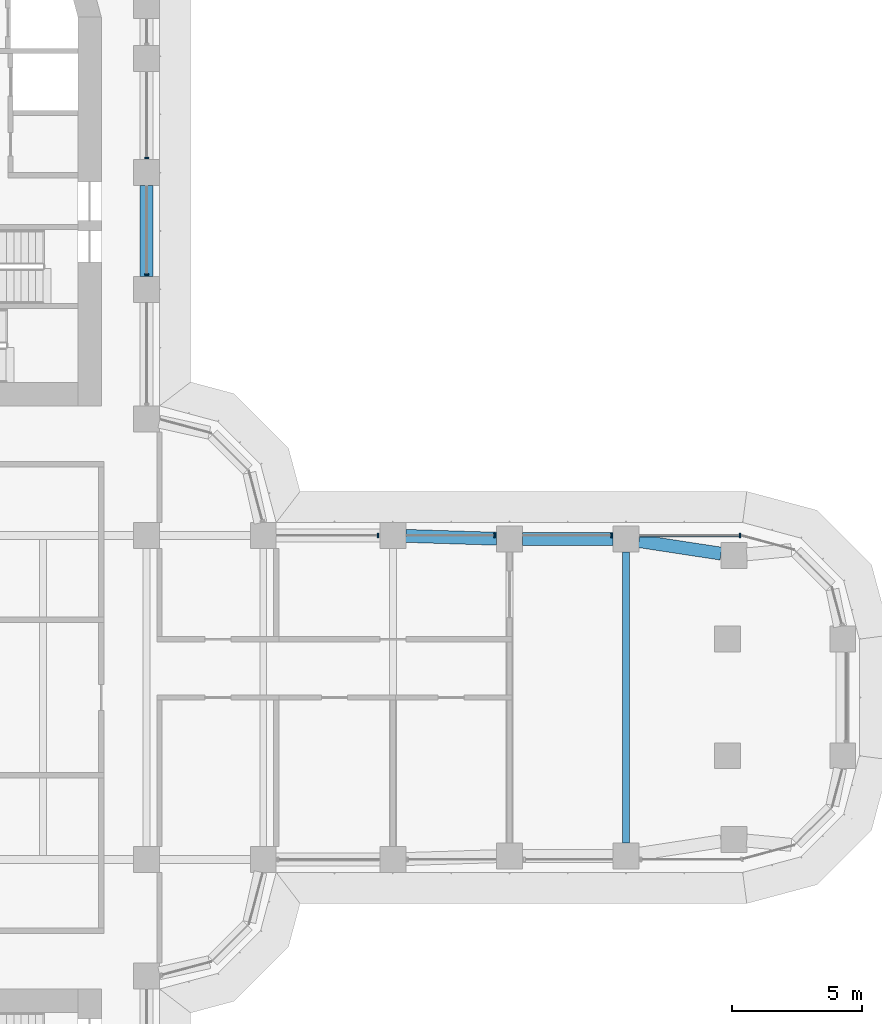
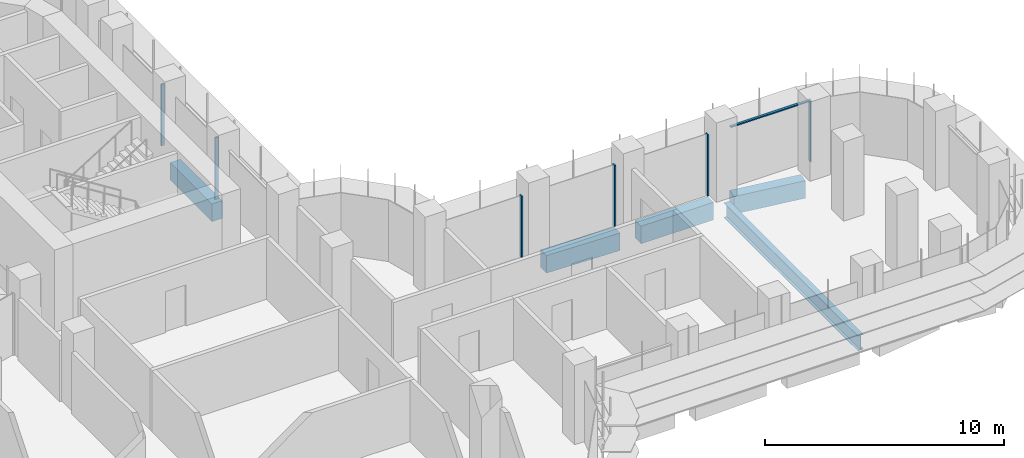
# One storey, part 9 of 23: 7 members, 5 beams, 2 elements without a shape of their own.
"""IFC4 building model written with IfcOpenShell, lengths in metres."""

import ifcopenshell
import ifcopenshell.guid

model = None  # the IFC model being written
_history = None  # IfcOwnerHistory: only IFC2X3 demands one
_inside = {}  # id of a spatial element -> (the spatial element, [elements in it])
_under = {}  # id of a project, library or spatial element -> (it, [spatial elements below it])
_declared = {}  # id of a project -> (the project, [libraries it declares])
_typed = {}  # id of a type object -> (the type object, [elements of that type])
_made_of = {}  # id of a material, layer set ... -> (it, [elements and type objects made of it])


def new_model(schema):
    """Start an empty IFC model of exactly this schema.

    Asked for "IFC4X3", IfcOpenShell would pick the latest addendum, in which some entities
    have other attributes; the version numbers below select the first issue.
    IFC2X3 requires an IfcOwnerHistory on every rooted entity: one is made here for all.
    """
    global model, _history
    if schema == "IFC4X3":
        model = ifcopenshell.file(schema_version=(4, 3, 0, 0))
    else:
        model = ifcopenshell.file(schema=schema)
    _inside.clear()
    _under.clear()
    _declared.clear()
    _typed.clear()
    _made_of.clear()
    _history = None
    if model.schema == "IFC2X3":
        org = make("IfcOrganization", Name="unknown")
        user = make(
            "IfcPersonAndOrganization",
            ThePerson=make("IfcPerson", FamilyName="unknown"),
            TheOrganization=org,
        )
        app = make(
            "IfcApplication",
            ApplicationDeveloper=org,
            Version="unknown",
            ApplicationFullName="unknown",
            ApplicationIdentifier="unknown",
        )
        _history = make(
            "IfcOwnerHistory",
            OwningUser=user,
            OwningApplication=app,
            ChangeAction="ADDED",
            CreationDate=0,
        )
    return model


def make(cls, **values):
    """One entity of the class cls with the attributes given. An attribute that is None is left unset."""
    return model.create_entity(
        cls, **{name: value for name, value in values.items() if value is not None}
    )


def rooted(cls, **values):
    """An entity with a GlobalId (a new one), such as an element, a storey or a relation."""
    return make(cls, GlobalId=ifcopenshell.guid.new(), OwnerHistory=_history, **values)


def si_unit(unit_type, name, prefix=None):
    """IfcSIUnit, for example si_unit("LENGTHUNIT", "METRE", prefix="MILLI")."""
    return make("IfcSIUnit", UnitType=unit_type, Prefix=prefix, Name=name)


def assignment(units):
    """IfcUnitAssignment: the units of a project."""
    return None if units is None else make("IfcUnitAssignment", Units=units)


def point(xyz):
    """IfcCartesianPoint."""
    return None if xyz is None else make("IfcCartesianPoint", Coordinates=xyz)


def direction(xyz):
    """IfcDirection."""
    return None if xyz is None else make("IfcDirection", DirectionRatios=xyz)


def frame(location, z_axis=None, x_axis=None):
    """IfcAxis2Placement3D, a coordinate frame: its origin and axes. An axis left out is left unset."""
    return make(
        "IfcAxis2Placement3D",
        Location=point(location),
        Axis=direction(z_axis),
        RefDirection=direction(x_axis),
    )


def frame_2d(location, x_axis=None):
    """IfcAxis2Placement2D, a coordinate frame in the plane: its origin and x axis."""
    return make(
        "IfcAxis2Placement2D", Location=point(location), RefDirection=direction(x_axis)
    )


def origin():
    """The frame at (0, 0, 0) with its axes left unset."""
    return frame((0.0, 0.0, 0.0))


def origin_2d():
    """The frame at (0, 0) in the plane with its x axis left unset."""
    return frame_2d((0.0, 0.0))


def place(relative_to, where):
    """IfcLocalPlacement: puts the frame where relative to a parent placement (None: the world)."""
    return make(
        "IfcLocalPlacement", PlacementRelTo=relative_to, RelativePlacement=where
    )


def context(
    kind, dimensions, precision=None, world=None, true_north=None, identifier=None
):
    """IfcGeometricRepresentationContext, for example the 3D "Model" context."""
    return make(
        "IfcGeometricRepresentationContext",
        ContextIdentifier=identifier,
        ContextType=kind,
        CoordinateSpaceDimension=dimensions,
        Precision=precision,
        WorldCoordinateSystem=world,
        TrueNorth=true_north,
    )


def subcontext(parent, identifier, kind, view, scale=None):
    """IfcGeometricRepresentationSubContext, for example "Body" below "Model"."""
    return make(
        "IfcGeometricRepresentationSubContext",
        ContextIdentifier=identifier,
        ContextType=kind,
        ParentContext=parent,
        TargetScale=scale,
        TargetView=view,
    )


def project(units=None, contexts=None):
    """IfcProject with its units and contexts."""
    return rooted(
        "IfcProject",
        Name="project",
        RepresentationContexts=contexts,
        UnitsInContext=assignment(units),
    )


def spatial(cls, under=None, at=None, **own):
    """A site, building, storey or space (cls), placed at a placement, below another one or the project."""
    s = rooted(cls, ObjectPlacement=at, **own)
    if under is not None:
        _under.setdefault(under.id(), (under, []))[1].append(s)
    return s


def polyline(points):
    """IfcPolyline through the points."""
    return make("IfcPolyline", Points=[point(p) for p in points])


def profile(cls, at=None, kind="AREA", **sizes):
    """A parametric profile (cls). Its sizes go by their IFC names, for example OverallWidth=200.0."""
    return make(cls, ProfileType=kind, Position=at, **sizes)


def rectangle(**sizes):
    """IfcRectangleProfileDef."""
    return profile("IfcRectangleProfileDef", **sizes)


def i_section(**sizes):
    """IfcIShapeProfileDef."""
    return profile("IfcIShapeProfileDef", **sizes)


def outline(outer, holes=None, kind="AREA"):
    """IfcArbitraryClosedProfileDef: a profile drawn as a closed curve; with holes, ...WithVoids."""
    if holes is None:
        return make("IfcArbitraryClosedProfileDef", ProfileType=kind, OuterCurve=outer)
    return make(
        "IfcArbitraryProfileDefWithVoids",
        ProfileType=kind,
        OuterCurve=outer,
        InnerCurves=holes,
    )


def extrude(swept, where, along, depth):
    """IfcExtrudedAreaSolid: the profile swept, set in the frame where, extruded along a direction by depth."""
    return make(
        "IfcExtrudedAreaSolid",
        SweptArea=swept,
        Position=where,
        ExtrudedDirection=direction(along),
        Depth=depth,
    )


def shape(context_of_items, identifier, shape_type, items):
    """IfcShapeRepresentation: the items that make up one representation, for example the "Body"."""
    return make(
        "IfcShapeRepresentation",
        ContextOfItems=context_of_items,
        RepresentationIdentifier=identifier,
        RepresentationType=shape_type,
        Items=items,
    )


def source(mapping_origin, context_of_items, identifier, shape_type, items):
    """IfcRepresentationMap: a shape defined once, which mapped items show again and again."""
    return make(
        "IfcRepresentationMap",
        MappingOrigin=mapping_origin,
        MappedRepresentation=shape(context_of_items, identifier, shape_type, items),
    )


def transform(
    local_origin,
    x_axis=None,
    y_axis=None,
    z_axis=None,
    scale=None,
    scale2=None,
    scale3=None,
    uniform=True,
):
    """IfcCartesianTransformationOperator3D, or its non-uniform kind. x_axis, y_axis, z_axis: its Axis1, 2, 3."""
    if uniform:
        return make(
            "IfcCartesianTransformationOperator3D",
            Axis1=direction(x_axis),
            Axis2=direction(y_axis),
            LocalOrigin=point(local_origin),
            Scale=scale,
            Axis3=direction(z_axis),
        )
    return make(
        "IfcCartesianTransformationOperator3DnonUniform",
        Axis1=direction(x_axis),
        Axis2=direction(y_axis),
        LocalOrigin=point(local_origin),
        Scale=scale,
        Axis3=direction(z_axis),
        Scale2=scale2,
        Scale3=scale3,
    )


def mapped(mapping_source, mapping_target):
    """IfcMappedItem: shows the shape of a source again, moved by a transform."""
    return make(
        "IfcMappedItem", MappingSource=mapping_source, MappingTarget=mapping_target
    )


def material(Name=None, Category=None):
    """IfcMaterial."""
    return make("IfcMaterial", Name=Name, Category=Category)


def material_profile(
    of_material, cross_section, Name=None, Category=None, Priority=None
):
    """IfcMaterialProfile: a cross section and its material."""
    return make(
        "IfcMaterialProfile",
        Name=Name,
        Material=of_material,
        Profile=cross_section,
        Priority=Priority,
        Category=Category,
    )


def profile_set(profiles, Name=None, composite=None):
    """IfcMaterialProfileSet."""
    return make(
        "IfcMaterialProfileSet",
        Name=Name,
        MaterialProfiles=profiles,
        CompositeProfile=composite,
    )


def made_of(thing, what):
    """Note that an element or type object is made of a material, layer set ...; save() writes the relation."""
    if what is not None:
        _made_of.setdefault(what.id(), (what, []))[1].append(thing)
    return thing


def type_object(cls, material=None, **own):
    """A type object (cls), such as IfcWallType, which elements share."""
    return made_of(rooted(cls, **own), material)


def element(
    cls,
    number,
    at=None,
    inside=None,
    cuts=None,
    type_object=None,
    material=None,
    context=None,
    identifier="Body",
    shape_type=None,
    held_by="IfcProductDefinitionShape",
    body=None,
    shapes=None,
    **own,
):
    """One element of the class cls, such as IfcWall. Its Tag is "e" and its number.

    at: its placement. inside: the storey or other place that contains it. cuts: it is an
    opening in that element (IfcRelVoidsElement). A single representation is given by context,
    identifier, shape_type and body (its items); several are given by shapes. held_by: the class
    of the entity that holds the representations. save() writes the other relations.
    """
    e = rooted(cls, Tag="e%d" % number, ObjectPlacement=at, **own)
    if body is not None:
        shapes = [shape(context, identifier, shape_type, body)]
    if shapes is not None:
        e.Representation = make(held_by, Representations=shapes)
    if inside is not None:
        _inside.setdefault(inside.id(), (inside, []))[1].append(e)
    if cuts is not None:
        rooted(
            "IfcRelVoidsElement", RelatingBuildingElement=cuts, RelatedOpeningElement=e
        )
    if type_object is not None:
        _typed.setdefault(type_object.id(), (type_object, []))[1].append(e)
    return made_of(e, material)


def aggregate(whole, parts):
    """IfcRelAggregates: a whole, such as a stair, and the parts it consists of."""
    return rooted("IfcRelAggregates", RelatingObject=whole, RelatedObjects=parts)


def save(model, path):
    """Write the relations noted so far, then the file.

    IfcRelAggregates (storeys below a building ...), IfcRelContainedInSpatialStructure (elements
    in a storey), IfcRelDefinesByType, IfcRelAssociatesMaterial and IfcRelDeclares: one each for
    every whole, place, type object, material and project.
    """
    for whole, parts in _under.values():
        aggregate(whole, parts)
    for where, things in _inside.values():
        rooted(
            "IfcRelContainedInSpatialStructure",
            RelatedElements=things,
            RelatingStructure=where,
        )
    for kind, things in _typed.values():
        rooted("IfcRelDefinesByType", RelatedObjects=things, RelatingType=kind)
    for what, things in _made_of.values():
        rooted("IfcRelAssociatesMaterial", RelatedObjects=things, RelatingMaterial=what)
    for by, libraries in _declared.values():
        rooted("IfcRelDeclares", RelatingContext=by, RelatedDefinitions=libraries)
    model.write(path)


model = new_model("IFC4")

# Units and contexts
model_context = context("Model", 3, precision=1e-05, world=origin(), true_north=direction((0.0, 1.0)))
body_context = subcontext(model_context, "Body", "Model", "MODEL_VIEW")
ifc_project = project(units=[si_unit("LENGTHUNIT", "METRE"), si_unit("AREAUNIT", "SQUARE_METRE"), si_unit("VOLUMEUNIT", "CUBIC_METRE"), si_unit("PLANEANGLEUNIT", "RADIAN"), si_unit("MASSUNIT", "GRAM", prefix="KILO")], contexts=[model_context])

# Site, building, storey
site_placement = place(None, origin())
site = spatial("IfcSite", under=ifc_project, at=site_placement, CompositionType="ELEMENT")
building_placement = place(site_placement, origin())
building = spatial("IfcBuilding", under=site, at=building_placement, Name="Zarbagh Exchange Tower", CompositionType="ELEMENT")
storey_placement = place(building_placement, frame((0.0, 0.0, 35.39990234375)))
storey = spatial("IfcBuildingStorey", under=building, at=storey_placement, Name="L07", CompositionType="ELEMENT", Elevation=35.39990234375)

# Beams
ifc_material_1 = material(Name="Steel ASTM A992 Gr 50", Category="steel")
ifc_material_profile_1 = material_profile(ifc_material_1, i_section(OverallWidth=0.2666015625, OverallDepth=0.76708984375, WebThickness=0.014892578125, FlangeThickness=0.023681640625, at=origin_2d()), Name="W30X124")
ifc_profile_set_1 = profile_set([ifc_material_profile_1], Name="Steel ASTM A992 Gr 50")
beam_type_1 = type_object("IfcBeamType", Name="Floor beam W30X124", PredefinedType="BEAM", material=ifc_profile_set_1)
beam_1_placement = place(storey_placement, frame((24.75, -5.610107421875, -0.533447265625), z_axis=(0.0, 1.0, 0.0), x_axis=(-1.0, 0.0, 0.0)))
element("IfcBeam", 1, at=beam_1_placement, inside=storey, type_object=beam_type_1, Name="Steel floor beam", PredefinedType="BEAM", context=body_context, shape_type="SweptSolid", body=[
    extrude(i_section(OverallWidth=0.2666015625, OverallDepth=0.76708984375, WebThickness=0.014892578125, FlangeThickness=0.023681640625, at=origin_2d()), origin(), (0.0, 0.0, 1.0), 11.22021484375),
])
ifc_material_2 = material(Name="Concrete C60/75", Category="concrete")
ifc_material_profile_2 = material_profile(ifc_material_2, rectangle(XDim=0.5, YDim=0.89990234375, at=origin_2d()), Name="RC spandrel beam 500 x 900 C60/75")
ifc_profile_set_2 = profile_set([ifc_material_profile_2], Name="Concrete C60/75")
beam_type_2 = type_object("IfcBeamType", Name="RC spandrel beam 500 x 900 C60/75", PredefinedType="SPANDREL", material=ifc_profile_set_2)
beam_2_placement = place(storey_placement, frame((6.25, 19.75, -0.599853515625), z_axis=(0.0, -1.0, 0.0), x_axis=(1.0, 0.0, 0.0)))
element("IfcBeam", 2, at=beam_2_placement, inside=storey, type_object=beam_type_2, Name="RC spandrel beam", PredefinedType="SPANDREL", context=body_context, shape_type="SweptSolid", body=[
    extrude(rectangle(XDim=0.5, YDim=0.89990234375, at=origin_2d()), origin(), (0.0, 0.0, 1.0), 3.5),
])
beam_3_placement = place(storey_placement, frame((16.249755859375, 6.234619140625, -0.599853515625), z_axis=(0.999514385708, -0.031160756759, 0.0), x_axis=(0.031160756759, 0.999514385708, 0.0)))
element("IfcBeam", 3, at=beam_3_placement, inside=storey, type_object=beam_type_2, Name="RC spandrel beam", PredefinedType="SPANDREL", context=body_context, shape_type="SweptSolid", body=[
    extrude(rectangle(XDim=0.5, YDim=0.89990234375, at=origin_2d()), origin(), (0.0, 0.0, 1.0), 3.502197265625),
])
beam_4_placement = place(storey_placement, frame((20.75, 6.110107421875, -0.599853515625), z_axis=(1.0, 0.0, 0.0), x_axis=(0.0, 1.0, 0.0)))
element("IfcBeam", 4, at=beam_4_placement, inside=storey, type_object=beam_type_2, Name="RC spandrel beam", PredefinedType="SPANDREL", context=body_context, shape_type="SweptSolid", body=[
    extrude(rectangle(XDim=0.5, YDim=0.89990234375, at=origin_2d()), origin(), (0.0, 0.0, 1.0), 3.5),
])
beam_5_placement = place(storey_placement, frame((25.244384765625, 6.034423828125, -0.599853515625), z_axis=(0.988545350976, -0.150924116903, 0.0), x_axis=(0.150924116903, 0.988545350976, 0.0)))
element("IfcBeam", 5, at=beam_5_placement, inside=storey, type_object=beam_type_2, Name="RC spandrel beam", PredefinedType="SPANDREL", context=body_context, shape_type="SweptSolid", body=[
    extrude(rectangle(XDim=0.5, YDim=0.89990234375, at=origin_2d()), origin(), (0.0, 0.0, 1.0), 3.2060546875),
])

# Curtain wall, members
ifc_material_3 = material(Name="Anodised aluminium frame and glazing", Category="aluminium")
curtain_wall_type = type_object("IfcCurtainWallType", Name="CWA Ribbon glazing, lower zones", PredefinedType="NOTDEFINED", material=ifc_material_3)
curtain_wall_1_placement = place(storey_placement, origin())
curtain_wall_1 = element("IfcCurtainWall", 6, at=curtain_wall_1_placement, inside=storey, type_object=curtain_wall_type, Name="CWA16 curtain wall", PredefinedType="NOTDEFINED")
ifc_material_4 = material(Name="Anodised aluminium frame", Category="aluminium")
member_type_1 = type_object("IfcMemberType", Name="MUA Mullion, anodised aluminium frame", PredefinedType="MULLION", material=ifc_material_4)
shared_shape_1 = source(origin(), body_context, "Body", "SweptSolid", [
    extrude(outline(polyline([(0.0, -0.080078125), (0.06005859375, -0.080078125), (0.06005859375, 0.080078125), (0.0, 0.080078125), (0.0, -0.080078125)])), origin(), (0.0, 0.0, 1.0), 3.14990234375),
])
placement = place(storey_placement, origin())
member_1 = element("IfcMember", 7, at=placement, type_object=member_type_1, Name="CWA16 mullion 1.1", PredefinedType="MULLION", context=body_context, shape_type="MappedRepresentation", body=[
    mapped(shared_shape_1, transform((29.18408203125, 6.25, 0.0), x_axis=(-1.0, 0.0, 0.0), y_axis=(0.0, -1.0, 0.0), z_axis=(0.0, 0.0, 1.0))),
])
member_2 = element("IfcMember", 8, at=placement, type_object=member_type_1, Name="CWA16 mullion 2.1", PredefinedType="MULLION", context=body_context, shape_type="MappedRepresentation", body=[
    mapped(shared_shape_1, transform((24.2099609375, 6.25, 0.0), x_axis=(-1.0, 0.0, 0.0), y_axis=(0.0, -1.0, 0.0), z_axis=(0.0, 0.0, 1.0))),
])
member_3 = element("IfcMember", 9, at=placement, type_object=member_type_1, Name="CWA16 mullion 3.1", PredefinedType="MULLION", context=body_context, shape_type="MappedRepresentation", body=[
    mapped(shared_shape_1, transform((19.7099609375, 6.25, 0.0), x_axis=(-1.0, 0.0, 0.0), y_axis=(0.0, -1.0, 0.0), z_axis=(0.0, 0.0, 1.0))),
])
member_4 = element("IfcMember", 10, at=placement, type_object=member_type_1, Name="CWA16 mullion 4.1", PredefinedType="MULLION", context=body_context, shape_type="MappedRepresentation", body=[
    mapped(shared_shape_1, transform((15.2099609375, 6.25, 0.0), x_axis=(-1.0, 0.0, 0.0), y_axis=(0.0, -1.0, 0.0), z_axis=(0.0, 0.0, 1.0))),
])

curtain_wall_2_placement = place(storey_placement, origin())
curtain_wall_2 = element("IfcCurtainWall", 11, at=curtain_wall_2_placement, inside=storey, type_object=curtain_wall_type, Name="CWA20 curtain wall", PredefinedType="NOTDEFINED")
member_5 = element("IfcMember", 12, at=placement, type_object=member_type_1, Name="CWA20 mullion 2.1", PredefinedType="MULLION", context=body_context, shape_type="MappedRepresentation", body=[
    mapped(shared_shape_1, transform((6.25, 16.2900390625, 0.0), x_axis=(0.0, 1.0, 0.0), y_axis=(-1.0, 0.0, 0.0), z_axis=(0.0, 0.0, 1.0))),
])
member_6 = element("IfcMember", 13, at=placement, type_object=member_type_1, Name="CWA20 mullion 3.1", PredefinedType="MULLION", context=body_context, shape_type="MappedRepresentation", body=[
    mapped(shared_shape_1, transform((6.25, 20.7900390625, 0.0), x_axis=(0.0, 1.0, 0.0), y_axis=(-1.0, 0.0, 0.0), z_axis=(0.0, 0.0, 1.0))),
])
aggregate(curtain_wall_2, [member_5, member_6])

# Member
member_type_2 = type_object("IfcMemberType", Name="TRA Transom, anodised aluminium frame", PredefinedType="USERDEFINED", material=ifc_material_4)
shared_shape_2 = source(origin(), body_context, "Body", "SweptSolid", [
    extrude(outline(polyline([(-0.06005859375, -0.06005859375), (0.0, -0.06005859375), (0.0, 0.06005859375), (-0.06005859375, 0.06005859375), (-0.06005859375, -0.06005859375)])), origin(), (0.0, 0.0, 1.0), 3.834228515625),
])
member_7 = element("IfcMember", 14, at=placement, type_object=member_type_2, Name="CWA16 transom 1.1", ObjectType="TRANSOM", PredefinedType="USERDEFINED", context=body_context, shape_type="MappedRepresentation", body=[
    mapped(shared_shape_2, transform((29.124267578125, 6.25, 3.150146484375), x_axis=(0.0, 0.0, 1.0), y_axis=(0.0, 1.0, 0.0), z_axis=(-1.0, 0.0, 0.0))),
])

aggregate(curtain_wall_1, [member_1, member_7, member_2, member_3, member_4])

save(model, "model.ifc")
